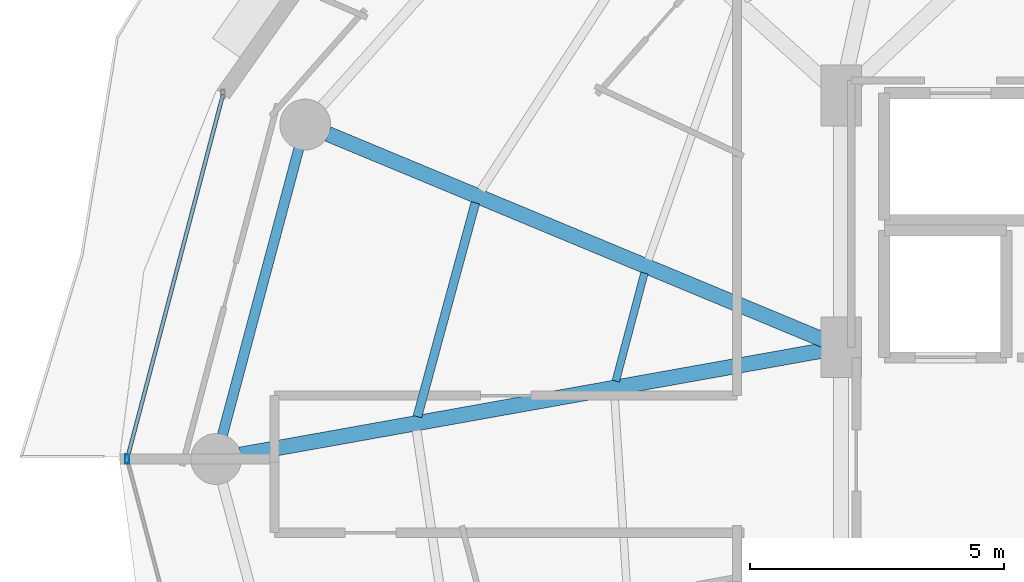
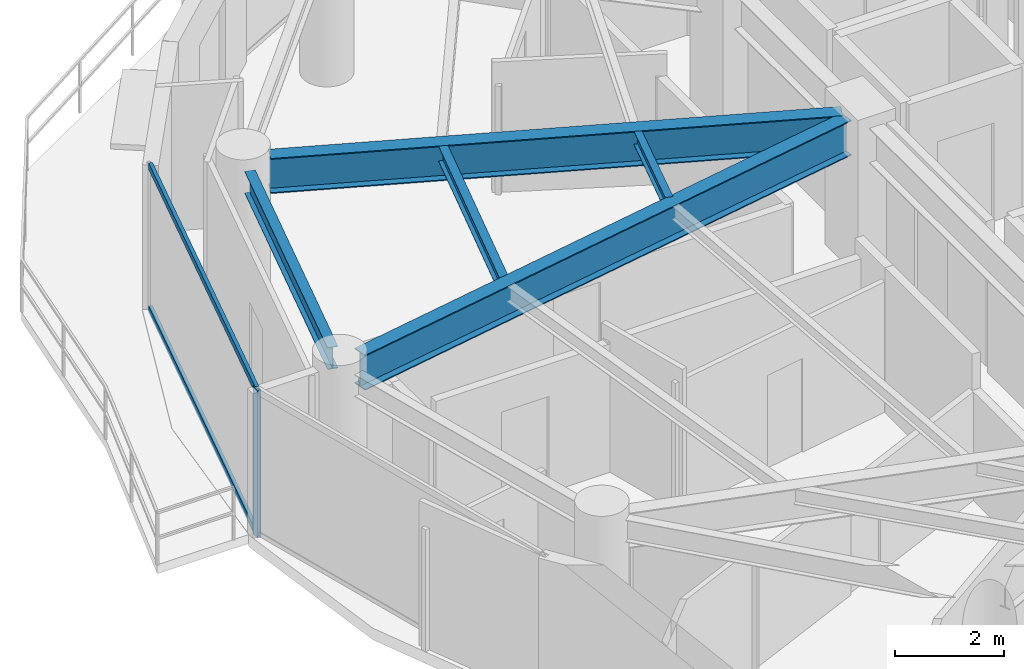
# One storey, part 8 of 31: 5 beams, 3 members, 1 element without a shape of its own.
"""IFC4 building model written with IfcOpenShell, lengths in metres."""

from ifc_helpers import new_model, si_unit, direction, frame, origin, origin_2d, place, context, subcontext, project, spatial, hollow_rectangle, i_section, extrude, material, material_profile, profile_set, type_object, element, aggregate, save


model = new_model("IFC4")

# Units and contexts
model_context = context("Model", 3, precision=1e-05, world=origin(), true_north=direction((0.0, 1.0)))
body_context = subcontext(model_context, "Body", "Model", "MODEL_VIEW")
ifc_project = project(units=[si_unit("LENGTHUNIT", "METRE"), si_unit("AREAUNIT", "SQUARE_METRE"), si_unit("VOLUMEUNIT", "CUBIC_METRE"), si_unit("PLANEANGLEUNIT", "RADIAN"), si_unit("MASSUNIT", "GRAM", prefix="KILO")], contexts=[model_context])

# Site, building, storey
site_placement = place(None, origin())
site = spatial("IfcSite", under=ifc_project, at=site_placement, CompositionType="ELEMENT")
building_placement = place(site_placement, origin())
building = spatial("IfcBuilding", under=site, at=building_placement, Name="Vorneva Point Tower", CompositionType="ELEMENT")
storey_placement = place(building_placement, frame((0.0, 0.0, 129.10009765625)))
storey = spatial("IfcBuildingStorey", under=building, at=storey_placement, Name="L34", CompositionType="ELEMENT", Elevation=129.10009765625)

# Beams
ifc_material_1 = material(Name="Steel S355", Category="steel")
ifc_material_profile_1 = material_profile(ifc_material_1, i_section(OverallWidth=0.300048828125, OverallDepth=0.7880859375, WebThickness=0.014404296875, FlangeThickness=0.02197265625, at=origin_2d()), Name="80Sh1")
ifc_profile_set_1 = profile_set([ifc_material_profile_1], Name="Steel S355")
beam_type_1 = type_object("IfcBeamType", Name="BM-GRD-80Sh1", PredefinedType="USERDEFINED", material=ifc_profile_set_1)
beam_1_placement = place(storey_placement, frame((17.1552734375, 32.39501953125, 2.845947265625), z_axis=(0.923440676596, -0.383741210723, 0.0), x_axis=(0.383741210723, 0.923440676596, 0.0)))
element("IfcBeam", 1, at=beam_1_placement, inside=storey, type_object=beam_type_1, Name="L34 Radial Primary Girder 08", ObjectType="GIRDER", PredefinedType="USERDEFINED", context=body_context, shape_type="SweptSolid", body=[
    extrude(i_section(OverallWidth=0.300048828125, OverallDepth=0.7880859375, WebThickness=0.014404296875, FlangeThickness=0.02197265625, at=origin_2d()), origin(), (0.0, 0.0, 1.0), 10.591552734375),
])
beam_2_placement = place(storey_placement, frame((15.430419921875, 26.0859375, 2.845947265625), z_axis=(0.984378132756, 0.176067293249, 0.0), x_axis=(-0.176067293249, 0.984378132756, 0.0)))
element("IfcBeam", 2, at=beam_2_placement, inside=storey, type_object=beam_type_1, Name="L34 Radial Primary Girder 09", ObjectType="GIRDER", PredefinedType="USERDEFINED", context=body_context, shape_type="SweptSolid", body=[
    extrude(i_section(OverallWidth=0.300048828125, OverallDepth=0.7880859375, WebThickness=0.014404296875, FlangeThickness=0.02197265625, at=origin_2d()), origin(), (0.0, 0.0, 1.0), 11.667236328125),
])
ifc_material_profile_2 = material_profile(ifc_material_1, i_section(OverallWidth=0.14892578125, OverallDepth=0.298095703125, WebThickness=0.005615234375, FlangeThickness=0.008056640625, at=origin_2d()), Name="30B1")
ifc_profile_set_2 = profile_set([ifc_material_profile_2], Name="Steel S355")
beam_type_2 = type_object("IfcBeamType", Name="BM-JST-30B1", PredefinedType="JOIST", material=ifc_profile_set_2)
beam_3_placement = place(storey_placement, frame((23.379638671875, 29.660400390625, 3.0908203125), z_axis=(-0.25614268373, -0.966638984095, 0.0), x_axis=(0.966638984095, -0.25614268373, 0.0)))
element("IfcBeam", 3, at=beam_3_placement, inside=storey, type_object=beam_type_2, Name="L34 Secondary Floor Beam 2.08", PredefinedType="JOIST", context=body_context, shape_type="SweptSolid", body=[
    extrude(i_section(OverallWidth=0.14892578125, OverallDepth=0.298095703125, WebThickness=0.005615234375, FlangeThickness=0.008056640625, at=origin_2d()), origin(), (0.0, 0.0, 1.0), 2.199951171875),
])
ifc_material_profile_3 = material_profile(ifc_material_1, i_section(OverallWidth=0.174072265625, OverallDepth=0.345947265625, WebThickness=0.006103515625, FlangeThickness=0.009033203125, at=origin_2d()), Name="35B1")
ifc_profile_set_3 = profile_set([ifc_material_profile_3], Name="Steel S355")
beam_type_3 = type_object("IfcBeamType", Name="BM-SEC-35B1", PredefinedType="BEAM", material=ifc_profile_set_3)
beam_4_placement = place(storey_placement, frame((20.05322265625, 31.04248046875, 3.06689453125), z_axis=(-0.261766569984, -0.965131215348, 0.0), x_axis=(0.965131215348, -0.261766569984, 0.0)))
element("IfcBeam", 4, at=beam_4_placement, inside=storey, type_object=beam_type_3, Name="L34 Secondary Floor Beam 1.08", PredefinedType="BEAM", context=body_context, shape_type="SweptSolid", body=[
    extrude(i_section(OverallWidth=0.174072265625, OverallDepth=0.345947265625, WebThickness=0.006103515625, FlangeThickness=0.009033203125, at=origin_2d()), origin(), (0.0, 0.0, 1.0), 4.359375),
])
ifc_material_profile_4 = material_profile(ifc_material_1, i_section(OverallWidth=0.199951171875, OverallDepth=0.491943359375, WebThickness=0.0087890625, FlangeThickness=0.011962890625, at=origin_2d()), Name="50B1")
ifc_profile_set_4 = profile_set([ifc_material_profile_4], Name="Steel S355")
beam_type_4 = type_object("IfcBeamType", Name="BM-SPN-50B1", PredefinedType="SPANDREL", material=ifc_profile_set_4)
beam_5_placement = place(storey_placement, frame((16.57958984375, 32.113525390625, 2.993896484375), z_axis=(-0.257550804648, -0.966264758245, 0.0), x_axis=(0.966264758245, -0.257550804648, 0.0)))
element("IfcBeam", 5, at=beam_5_placement, inside=storey, type_object=beam_type_4, Name="L34 Perimeter Spandrel Ring Beam 08", PredefinedType="SPANDREL", context=body_context, shape_type="SweptSolid", body=[
    extrude(i_section(OverallWidth=0.199951171875, OverallDepth=0.491943359375, WebThickness=0.0087890625, FlangeThickness=0.011962890625, at=origin_2d()), origin(), (0.0, 0.0, 1.0), 5.842041015625),
])

# Curtain wall, members
ifc_material_2 = material(Name="Pale anodised aluminium", Category="aluminium")
curtain_wall_type = type_object("IfcCurtainWallType", Name="CW-RES-SYS", PredefinedType="NOTDEFINED", material=ifc_material_2)
curtain_wall_placement = place(storey_placement, origin())
curtain_wall = element("IfcCurtainWall", 6, at=curtain_wall_placement, inside=storey, type_object=curtain_wall_type, Name="L34 Unitised Curtain Wall CW-L34-R03", PredefinedType="NOTDEFINED")
ifc_material_profile_5 = material_profile(ifc_material_2, hollow_rectangle(XDim=0.074951171875, YDim=0.179931640625, WallThickness=0.00390625, at=origin_2d()), Name="AL-MUL 180x75x4")
ifc_profile_set_5 = profile_set([ifc_material_profile_5], Name="Pale anodised aluminium")
member_type_1 = type_object("IfcMemberType", Name="CW-MUL-180", PredefinedType="MULLION", material=ifc_profile_set_5)
member_1_placement = place(storey_placement, frame((13.199951171875, 26.0, -0.0400390625), z_axis=(0.0, 0.0, 1.0), x_axis=(1.0, 0.0, 0.0)))
member_1 = element("IfcMember", 7, at=member_1_placement, type_object=member_type_1, Name="CW-L34-R03 Mullion 02", PredefinedType="MULLION", context=body_context, shape_type="SweptSolid", body=[
    extrude(hollow_rectangle(XDim=0.074951171875, YDim=0.179931640625, WallThickness=0.00390625, at=origin_2d()), origin(), (0.0, 0.0, 1.0), 3.31005859375),
])
ifc_material_profile_6 = material_profile(ifc_material_2, hollow_rectangle(XDim=0.074951171875, YDim=0.14990234375, WallThickness=0.00390625, at=origin_2d()), Name="AL-TRN 150x75x4")
ifc_profile_set_6 = profile_set([ifc_material_profile_6], Name="Pale anodised aluminium")
member_type_2 = type_object("IfcMemberType", Name="CW-TRN-150", PredefinedType="USERDEFINED", material=ifc_profile_set_6)
member_2_placement = place(storey_placement, frame((15.087890625, 33.17529296875, 0.02001953125), z_axis=(-0.254456046293, -0.967084339913, 0.0), x_axis=(0.967084339913, -0.254456046293, 0.0)))
member_2 = element("IfcMember", 8, at=member_2_placement, type_object=member_type_2, Name="CW-L34-R03 Transom 01.1", ObjectType="TRANSOM", PredefinedType="USERDEFINED", context=body_context, shape_type="SweptSolid", body=[
    extrude(hollow_rectangle(XDim=0.074951171875, YDim=0.14990234375, WallThickness=0.00390625, at=origin_2d()), origin(), (0.0, 0.0, 1.0), 7.41943359375),
])
member_3_placement = place(storey_placement, frame((15.087890625, 33.17529296875, 3.219970703125), z_axis=(-0.254456046293, -0.967084339913, 0.0), x_axis=(0.967084339913, -0.254456046293, 0.0)))
member_3 = element("IfcMember", 9, at=member_3_placement, type_object=member_type_2, Name="CW-L34-R03 Transom 01.2", ObjectType="TRANSOM", PredefinedType="USERDEFINED", context=body_context, shape_type="SweptSolid", body=[
    extrude(hollow_rectangle(XDim=0.074951171875, YDim=0.14990234375, WallThickness=0.00390625, at=origin_2d()), origin(), (0.0, 0.0, 1.0), 7.41943359375),
])
aggregate(curtain_wall, [member_1, member_2, member_3])

save(model, "model.ifc")
